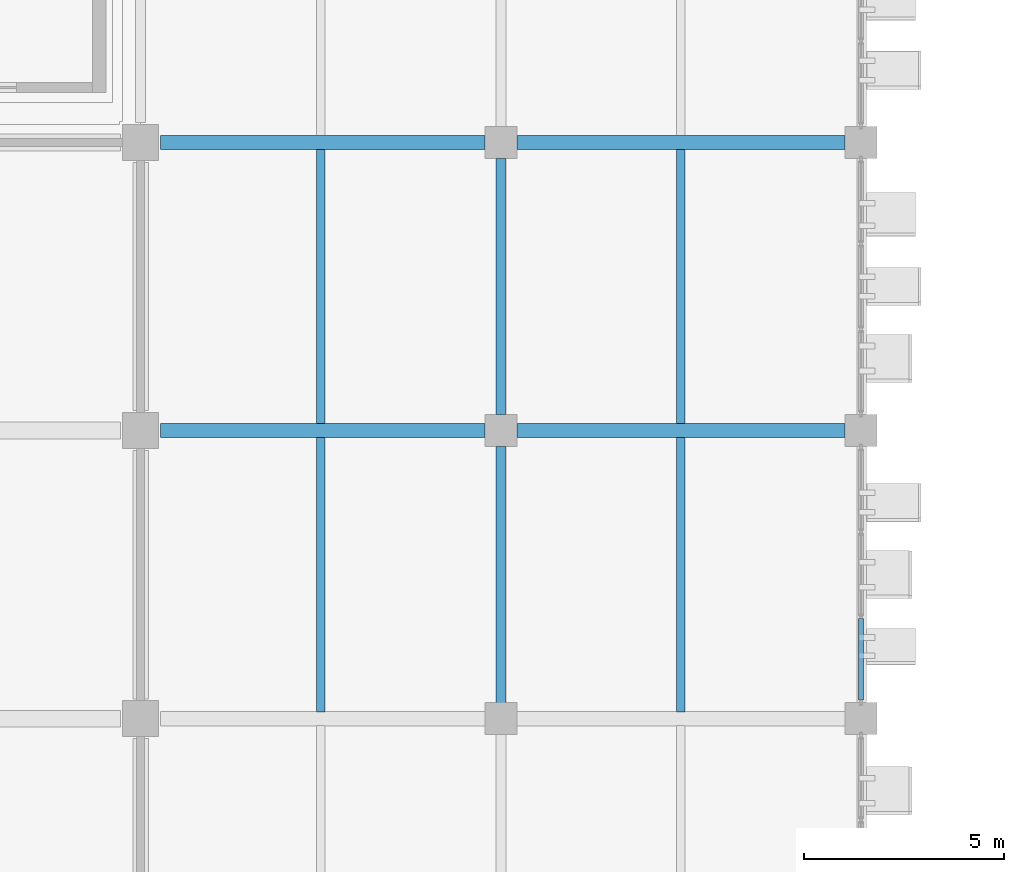
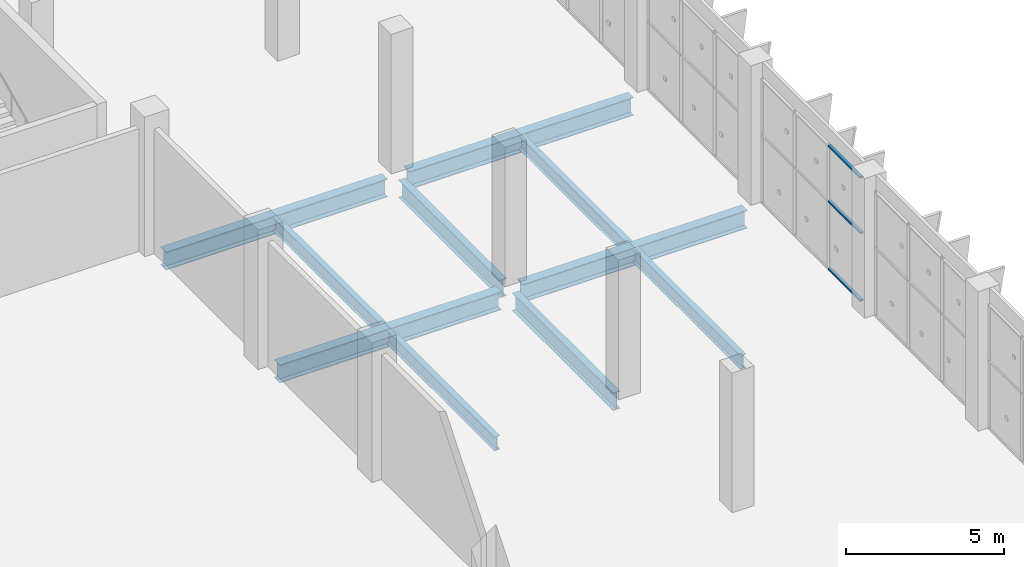
# One storey, part 57 of 137: 10 beams, 3 members, 1 element without a shape of its own.
"""IFC4 building model written with IfcOpenShell, lengths in metres."""

import ifcopenshell
import ifcopenshell.guid

model = None  # the IFC model being written
_history = None  # IfcOwnerHistory: only IFC2X3 demands one
_inside = {}  # id of a spatial element -> (the spatial element, [elements in it])
_under = {}  # id of a project, library or spatial element -> (it, [spatial elements below it])
_declared = {}  # id of a project -> (the project, [libraries it declares])
_typed = {}  # id of a type object -> (the type object, [elements of that type])
_made_of = {}  # id of a material, layer set ... -> (it, [elements and type objects made of it])


def new_model(schema):
    """Start an empty IFC model of exactly this schema.

    Asked for "IFC4X3", IfcOpenShell would pick the latest addendum, in which some entities
    have other attributes; the version numbers below select the first issue.
    IFC2X3 requires an IfcOwnerHistory on every rooted entity: one is made here for all.
    """
    global model, _history
    if schema == "IFC4X3":
        model = ifcopenshell.file(schema_version=(4, 3, 0, 0))
    else:
        model = ifcopenshell.file(schema=schema)
    _inside.clear()
    _under.clear()
    _declared.clear()
    _typed.clear()
    _made_of.clear()
    _history = None
    if model.schema == "IFC2X3":
        org = make("IfcOrganization", Name="unknown")
        user = make(
            "IfcPersonAndOrganization",
            ThePerson=make("IfcPerson", FamilyName="unknown"),
            TheOrganization=org,
        )
        app = make(
            "IfcApplication",
            ApplicationDeveloper=org,
            Version="unknown",
            ApplicationFullName="unknown",
            ApplicationIdentifier="unknown",
        )
        _history = make(
            "IfcOwnerHistory",
            OwningUser=user,
            OwningApplication=app,
            ChangeAction="ADDED",
            CreationDate=0,
        )
    return model


def make(cls, **values):
    """One entity of the class cls with the attributes given. An attribute that is None is left unset."""
    return model.create_entity(
        cls, **{name: value for name, value in values.items() if value is not None}
    )


def rooted(cls, **values):
    """An entity with a GlobalId (a new one), such as an element, a storey or a relation."""
    return make(cls, GlobalId=ifcopenshell.guid.new(), OwnerHistory=_history, **values)


def si_unit(unit_type, name, prefix=None):
    """IfcSIUnit, for example si_unit("LENGTHUNIT", "METRE", prefix="MILLI")."""
    return make("IfcSIUnit", UnitType=unit_type, Prefix=prefix, Name=name)


def assignment(units):
    """IfcUnitAssignment: the units of a project."""
    return None if units is None else make("IfcUnitAssignment", Units=units)


def point(xyz):
    """IfcCartesianPoint."""
    return None if xyz is None else make("IfcCartesianPoint", Coordinates=xyz)


def direction(xyz):
    """IfcDirection."""
    return None if xyz is None else make("IfcDirection", DirectionRatios=xyz)


def frame(location, z_axis=None, x_axis=None):
    """IfcAxis2Placement3D, a coordinate frame: its origin and axes. An axis left out is left unset."""
    return make(
        "IfcAxis2Placement3D",
        Location=point(location),
        Axis=direction(z_axis),
        RefDirection=direction(x_axis),
    )


def frame_2d(location, x_axis=None):
    """IfcAxis2Placement2D, a coordinate frame in the plane: its origin and x axis."""
    return make(
        "IfcAxis2Placement2D", Location=point(location), RefDirection=direction(x_axis)
    )


def origin():
    """The frame at (0, 0, 0) with its axes left unset."""
    return frame((0.0, 0.0, 0.0))


def origin_2d():
    """The frame at (0, 0) in the plane with its x axis left unset."""
    return frame_2d((0.0, 0.0))


def place(relative_to, where):
    """IfcLocalPlacement: puts the frame where relative to a parent placement (None: the world)."""
    return make(
        "IfcLocalPlacement", PlacementRelTo=relative_to, RelativePlacement=where
    )


def context(
    kind, dimensions, precision=None, world=None, true_north=None, identifier=None
):
    """IfcGeometricRepresentationContext, for example the 3D "Model" context."""
    return make(
        "IfcGeometricRepresentationContext",
        ContextIdentifier=identifier,
        ContextType=kind,
        CoordinateSpaceDimension=dimensions,
        Precision=precision,
        WorldCoordinateSystem=world,
        TrueNorth=true_north,
    )


def subcontext(parent, identifier, kind, view, scale=None):
    """IfcGeometricRepresentationSubContext, for example "Body" below "Model"."""
    return make(
        "IfcGeometricRepresentationSubContext",
        ContextIdentifier=identifier,
        ContextType=kind,
        ParentContext=parent,
        TargetScale=scale,
        TargetView=view,
    )


def project(units=None, contexts=None):
    """IfcProject with its units and contexts."""
    return rooted(
        "IfcProject",
        Name="project",
        RepresentationContexts=contexts,
        UnitsInContext=assignment(units),
    )


def spatial(cls, under=None, at=None, **own):
    """A site, building, storey or space (cls), placed at a placement, below another one or the project."""
    s = rooted(cls, ObjectPlacement=at, **own)
    if under is not None:
        _under.setdefault(under.id(), (under, []))[1].append(s)
    return s


def profile(cls, at=None, kind="AREA", **sizes):
    """A parametric profile (cls). Its sizes go by their IFC names, for example OverallWidth=200.0."""
    return make(cls, ProfileType=kind, Position=at, **sizes)


def hollow_rectangle(**sizes):
    """IfcRectangleHollowProfileDef."""
    return profile("IfcRectangleHollowProfileDef", **sizes)


def i_section(**sizes):
    """IfcIShapeProfileDef."""
    return profile("IfcIShapeProfileDef", **sizes)


def extrude(swept, where, along, depth):
    """IfcExtrudedAreaSolid: the profile swept, set in the frame where, extruded along a direction by depth."""
    return make(
        "IfcExtrudedAreaSolid",
        SweptArea=swept,
        Position=where,
        ExtrudedDirection=direction(along),
        Depth=depth,
    )


def shape(context_of_items, identifier, shape_type, items):
    """IfcShapeRepresentation: the items that make up one representation, for example the "Body"."""
    return make(
        "IfcShapeRepresentation",
        ContextOfItems=context_of_items,
        RepresentationIdentifier=identifier,
        RepresentationType=shape_type,
        Items=items,
    )


def material(Name=None, Category=None):
    """IfcMaterial."""
    return make("IfcMaterial", Name=Name, Category=Category)


def layer(
    of_material, thickness, ventilated=None, Name=None, Category=None, Priority=None
):
    """IfcMaterialLayer: one layer of a wall or slab, of a material (None: an air gap)."""
    return make(
        "IfcMaterialLayer",
        Material=of_material,
        LayerThickness=thickness,
        IsVentilated=ventilated,
        Name=Name,
        Category=Category,
        Priority=Priority,
    )


def layer_set(layers, Name=None):
    """IfcMaterialLayerSet."""
    return make("IfcMaterialLayerSet", MaterialLayers=layers, LayerSetName=Name)


def material_profile(
    of_material, cross_section, Name=None, Category=None, Priority=None
):
    """IfcMaterialProfile: a cross section and its material."""
    return make(
        "IfcMaterialProfile",
        Name=Name,
        Material=of_material,
        Profile=cross_section,
        Priority=Priority,
        Category=Category,
    )


def profile_set(profiles, Name=None, composite=None):
    """IfcMaterialProfileSet."""
    return make(
        "IfcMaterialProfileSet",
        Name=Name,
        MaterialProfiles=profiles,
        CompositeProfile=composite,
    )


def made_of(thing, what):
    """Note that an element or type object is made of a material, layer set ...; save() writes the relation."""
    if what is not None:
        _made_of.setdefault(what.id(), (what, []))[1].append(thing)
    return thing


def type_object(cls, material=None, **own):
    """A type object (cls), such as IfcWallType, which elements share."""
    return made_of(rooted(cls, **own), material)


def element(
    cls,
    number,
    at=None,
    inside=None,
    cuts=None,
    type_object=None,
    material=None,
    context=None,
    identifier="Body",
    shape_type=None,
    held_by="IfcProductDefinitionShape",
    body=None,
    shapes=None,
    **own,
):
    """One element of the class cls, such as IfcWall. Its Tag is "e" and its number.

    at: its placement. inside: the storey or other place that contains it. cuts: it is an
    opening in that element (IfcRelVoidsElement). A single representation is given by context,
    identifier, shape_type and body (its items); several are given by shapes. held_by: the class
    of the entity that holds the representations. save() writes the other relations.
    """
    e = rooted(cls, Tag="e%d" % number, ObjectPlacement=at, **own)
    if body is not None:
        shapes = [shape(context, identifier, shape_type, body)]
    if shapes is not None:
        e.Representation = make(held_by, Representations=shapes)
    if inside is not None:
        _inside.setdefault(inside.id(), (inside, []))[1].append(e)
    if cuts is not None:
        rooted(
            "IfcRelVoidsElement", RelatingBuildingElement=cuts, RelatedOpeningElement=e
        )
    if type_object is not None:
        _typed.setdefault(type_object.id(), (type_object, []))[1].append(e)
    return made_of(e, material)


def aggregate(whole, parts):
    """IfcRelAggregates: a whole, such as a stair, and the parts it consists of."""
    return rooted("IfcRelAggregates", RelatingObject=whole, RelatedObjects=parts)


def save(model, path):
    """Write the relations noted so far, then the file.

    IfcRelAggregates (storeys below a building ...), IfcRelContainedInSpatialStructure (elements
    in a storey), IfcRelDefinesByType, IfcRelAssociatesMaterial and IfcRelDeclares: one each for
    every whole, place, type object, material and project.
    """
    for whole, parts in _under.values():
        aggregate(whole, parts)
    for where, things in _inside.values():
        rooted(
            "IfcRelContainedInSpatialStructure",
            RelatedElements=things,
            RelatingStructure=where,
        )
    for kind, things in _typed.values():
        rooted("IfcRelDefinesByType", RelatedObjects=things, RelatingType=kind)
    for what, things in _made_of.values():
        rooted("IfcRelAssociatesMaterial", RelatedObjects=things, RelatingMaterial=what)
    for by, libraries in _declared.values():
        rooted("IfcRelDeclares", RelatingContext=by, RelatedDefinitions=libraries)
    model.write(path)


model = new_model("IFC4")

# Units and contexts
model_context = context("Model", 3, precision=1e-05, world=origin(), true_north=direction((0.0, 1.0)))
body_context = subcontext(model_context, "Body", "Model", "MODEL_VIEW")
ifc_project = project(units=[si_unit("LENGTHUNIT", "METRE"), si_unit("AREAUNIT", "SQUARE_METRE"), si_unit("VOLUMEUNIT", "CUBIC_METRE"), si_unit("PLANEANGLEUNIT", "RADIAN"), si_unit("MASSUNIT", "GRAM", prefix="KILO")], contexts=[model_context])

# Site, building, storey
site_placement = place(None, origin())
site = spatial("IfcSite", under=ifc_project, at=site_placement, CompositionType="ELEMENT")
building_placement = place(site_placement, origin())
building = spatial("IfcBuilding", under=site, at=building_placement, Name="Celestram Park Convention Centre", CompositionType="ELEMENT")
storey_placement = place(building_placement, origin())
storey = spatial("IfcBuildingStorey", under=building, at=storey_placement, Name="L00", CompositionType="ELEMENT", Elevation=0.0)

# Curtain wall, members
ifc_material_1 = material(Name="Anodised Aluminium Alloy 6063-T6", Category="aluminium")
ifc_layer = layer(ifc_material_1, 0.179931640625)
ifc_layer_set = layer_set([ifc_layer], Name="Anodised Aluminium Alloy 6063-T6")
curtain_wall_type = type_object("IfcCurtainWallType", Name="ARC-CW-640X482", PredefinedType="NOTDEFINED", material=ifc_layer_set)
curtain_wall_placement = place(storey_placement, origin())
curtain_wall = element("IfcCurtainWall", 1, at=curtain_wall_placement, inside=storey, type_object=curtain_wall_type, Name="Unitised curtain wall CU-L00-009", PredefinedType="NOTDEFINED")
ifc_material_profile_1 = material_profile(ifc_material_1, hollow_rectangle(XDim=0.1201171875, YDim=0.06005859375, WallThickness=0.0029296875, at=origin_2d()), Name="ALU120X60X3")
ifc_profile_set_1 = profile_set([ifc_material_profile_1], Name="Anodised Aluminium Alloy 6063-T6")
member_type = type_object("IfcMemberType", Name="ARC-CWT-120", PredefinedType="USERDEFINED", material=ifc_profile_set_1)
member_1_placement = place(storey_placement, frame((144.0, 96.10009765625, 0.030029296875), z_axis=(0.0, -1.0, 0.0), x_axis=(1.0, 0.0, 0.0)))
member_1 = element("IfcMember", 2, at=member_1_placement, type_object=member_type, Name="CW-64X48 transom 3.1", ObjectType="TRANSOM", PredefinedType="USERDEFINED", context=body_context, shape_type="SweptSolid", body=[
    extrude(hollow_rectangle(XDim=0.1201171875, YDim=0.06005859375, WallThickness=0.0029296875, at=origin_2d()), origin(), (0.0, 0.0, 1.0), 2.037109375),
])
member_2_placement = place(storey_placement, frame((144.0, 96.10009765625, 2.64990234375), z_axis=(0.0, -1.0, 0.0), x_axis=(1.0, 0.0, 0.0)))
member_2 = element("IfcMember", 3, at=member_2_placement, type_object=member_type, Name="CW-64X48 transom 3.2", ObjectType="TRANSOM", PredefinedType="USERDEFINED", context=body_context, shape_type="SweptSolid", body=[
    extrude(hollow_rectangle(XDim=0.1201171875, YDim=0.06005859375, WallThickness=0.0029296875, at=origin_2d()), origin(), (0.0, 0.0, 1.0), 2.037109375),
])
member_3_placement = place(storey_placement, frame((144.0, 96.10009765625, 4.7900390625), z_axis=(0.0, -1.0, 0.0), x_axis=(1.0, 0.0, 0.0)))
member_3 = element("IfcMember", 4, at=member_3_placement, type_object=member_type, Name="CW-64X48 transom 3.3", ObjectType="TRANSOM", PredefinedType="USERDEFINED", context=body_context, shape_type="SweptSolid", body=[
    extrude(hollow_rectangle(XDim=0.1201171875, YDim=0.06005859375, WallThickness=0.0029296875, at=origin_2d()), origin(), (0.0, 0.0, 1.0), 2.037109375),
])
aggregate(curtain_wall, [member_1, member_2, member_3])

# Beams
ifc_material_2 = material(Name="Steel ASTM A992 Grade 50", Category="steel")
ifc_material_profile_2 = material_profile(ifc_material_2, i_section(OverallWidth=0.35595703125, OverallDepth=0.696044921875, WebThickness=0.015380859375, FlangeThickness=0.02490234375, at=origin_2d()), Name="W27X146")
ifc_profile_set_2 = profile_set([ifc_material_profile_2], Name="Steel ASTM A992 Grade 50")
beam_type_1 = type_object("IfcBeamType", Name="STR-BM-W27X146", PredefinedType="BEAM", material=ifc_profile_set_2)
for number, where, z_axis, x_axis, name in (
    (5, (126.498046875, 100.800048828125, -0.66796875), (1.0, 0.0, 0.0), (0.0, 1.0, 0.0), "Primary X-girder BG-L00-0604"),
    (6, (126.498046875, 108.0, -0.66796875), (1.0, 0.0, 0.0), (0.0, 1.0, 0.0), "Primary X-girder BG-L00-0606"),
):
    element("IfcBeam", number, at=place(storey_placement, frame(where, z_axis=z_axis, x_axis=x_axis)), inside=storey, type_object=beam_type_1, Name=name, PredefinedType="BEAM", context=body_context, shape_type="SweptSolid", body=[
        extrude(i_section(OverallWidth=0.35595703125, OverallDepth=0.696044921875, WebThickness=0.015380859375, FlangeThickness=0.02490234375, at=origin_2d()), origin(), (0.0, 0.0, 1.0), 8.10400390625),
    ])
for number, where, z_axis, x_axis, name in (
    (7, (135.39794921875, 100.800048828125, -0.66796875), (1.0, 0.0, 0.0), (0.0, 1.0, 0.0), "Primary X-girder BG-L00-0643"),
    (8, (135.39794921875, 108.0, -0.66796875), (1.0, 0.0, 0.0), (0.0, 1.0, 0.0), "Primary X-girder BG-L00-0645"),
):
    element("IfcBeam", number, at=place(storey_placement, frame(where, z_axis=z_axis, x_axis=x_axis)), inside=storey, type_object=beam_type_1, Name=name, PredefinedType="BEAM", context=body_context, shape_type="SweptSolid", body=[
        extrude(i_section(OverallWidth=0.35595703125, OverallDepth=0.696044921875, WebThickness=0.015380859375, FlangeThickness=0.02490234375, at=origin_2d()), origin(), (0.0, 0.0, 1.0), 8.2041015625),
    ])
ifc_material_profile_3 = material_profile(ifc_material_2, i_section(OverallWidth=0.25390625, OverallDepth=0.68310546875, WebThickness=0.012451171875, FlangeThickness=0.01904296875, at=origin_2d()), Name="W27X94")
ifc_profile_set_3 = profile_set([ifc_material_profile_3], Name="Steel ASTM A992 Grade 50")
beam_type_2 = type_object("IfcBeamType", Name="STR-BM-W27X94", PredefinedType="BEAM", material=ifc_profile_set_3)
for number, where, z_axis, x_axis, name in (
    (9, (135.0, 93.998046875, -0.66162109375), (0.0, 1.0, 0.0), (-1.0, 0.0, 0.0), "Primary Y-girder BG-L00-0642"),
    (10, (135.0, 101.197998046875, -0.66162109375), (0.0, 1.0, 0.0), (-1.0, 0.0, 0.0), "Primary Y-girder BG-L00-0644"),
):
    element("IfcBeam", number, at=place(storey_placement, frame(where, z_axis=z_axis, x_axis=x_axis)), inside=storey, type_object=beam_type_2, Name=name, PredefinedType="BEAM", context=body_context, shape_type="SweptSolid", body=[
        extrude(i_section(OverallWidth=0.25390625, OverallDepth=0.68310546875, WebThickness=0.012451171875, FlangeThickness=0.01904296875, at=origin_2d()), origin(), (0.0, 0.0, 1.0), 6.404052734375),
    ])
ifc_material_profile_4 = material_profile(ifc_material_2, i_section(OverallWidth=0.2099609375, OverallDepth=0.532958984375, WebThickness=0.01025390625, FlangeThickness=0.015625, at=origin_2d()), Name="W21X62")
ifc_profile_set_4 = profile_set([ifc_material_profile_4], Name="Steel ASTM A992 Grade 50")
beam_type_3 = type_object("IfcBeamType", Name="STR-JST-W21X62", PredefinedType="JOIST", material=ifc_profile_set_4)
beam_1_placement = place(storey_placement, frame((130.5, 93.77392578125, -0.58642578125), z_axis=(0.0, 1.0, 0.0), x_axis=(-1.0, 0.0, 0.0)))
element("IfcBeam", 11, at=beam_1_placement, inside=storey, type_object=beam_type_3, Name="Secondary composite joist BG-L00-1148", PredefinedType="JOIST", context=body_context, shape_type="SweptSolid", body=[
    extrude(i_section(OverallWidth=0.2099609375, OverallDepth=0.532958984375, WebThickness=0.01025390625, FlangeThickness=0.015625, at=origin_2d()), origin(), (0.0, 0.0, 1.0), 6.85205078125),
])
beam_2_placement = place(storey_placement, frame((130.5, 100.97412109375, -0.58642578125), z_axis=(0.0, 1.0, 0.0), x_axis=(-1.0, 0.0, 0.0)))
element("IfcBeam", 12, at=beam_2_placement, inside=storey, type_object=beam_type_3, Name="Secondary composite joist BG-L00-1149", PredefinedType="JOIST", context=body_context, shape_type="SweptSolid", body=[
    extrude(i_section(OverallWidth=0.2099609375, OverallDepth=0.532958984375, WebThickness=0.01025390625, FlangeThickness=0.015625, at=origin_2d()), origin(), (0.0, 0.0, 1.0), 6.851806640625),
])
beam_3_placement = place(storey_placement, frame((139.5, 93.77392578125, -0.58642578125), z_axis=(0.0, 1.0, 0.0), x_axis=(-1.0, 0.0, 0.0)))
element("IfcBeam", 13, at=beam_3_placement, inside=storey, type_object=beam_type_3, Name="Secondary composite joist BG-L00-1164", PredefinedType="JOIST", context=body_context, shape_type="SweptSolid", body=[
    extrude(i_section(OverallWidth=0.2099609375, OverallDepth=0.532958984375, WebThickness=0.01025390625, FlangeThickness=0.015625, at=origin_2d()), origin(), (0.0, 0.0, 1.0), 6.85205078125),
])
beam_4_placement = place(storey_placement, frame((139.5, 100.97412109375, -0.58642578125), z_axis=(0.0, 1.0, 0.0), x_axis=(-1.0, 0.0, 0.0)))
element("IfcBeam", 14, at=beam_4_placement, inside=storey, type_object=beam_type_3, Name="Secondary composite joist BG-L00-1165", PredefinedType="JOIST", context=body_context, shape_type="SweptSolid", body=[
    extrude(i_section(OverallWidth=0.2099609375, OverallDepth=0.532958984375, WebThickness=0.01025390625, FlangeThickness=0.015625, at=origin_2d()), origin(), (0.0, 0.0, 1.0), 6.851806640625),
])

save(model, "model.ifc")
